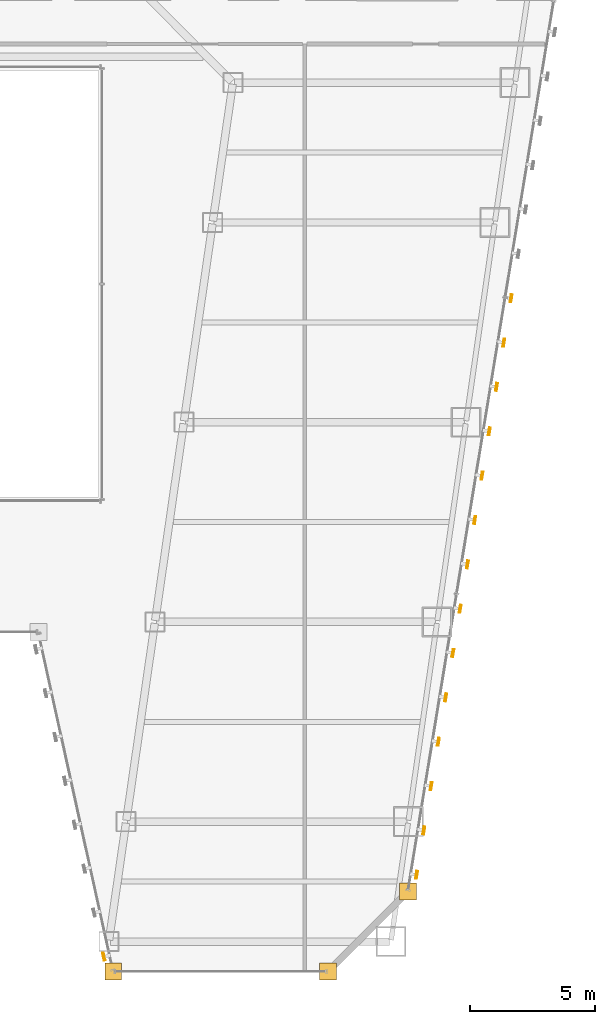
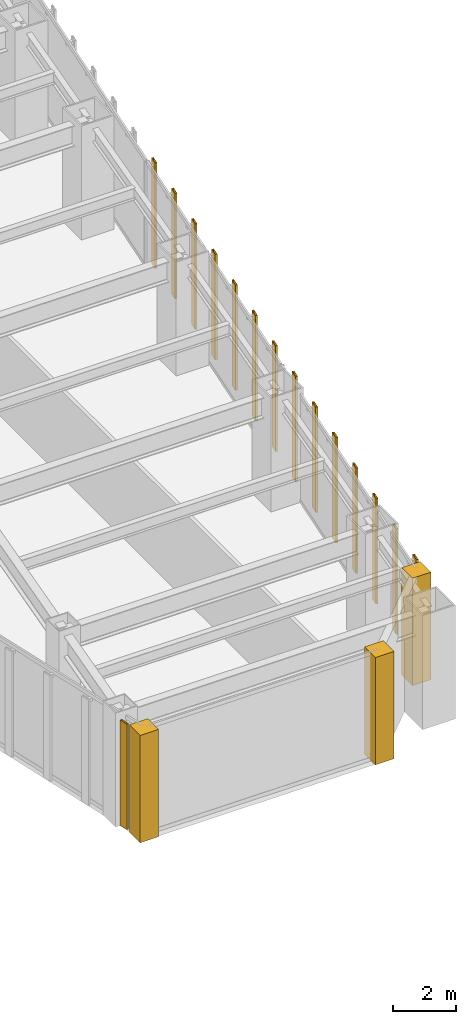
# One storey, part 44 of 47: 15 shading devices, 3 coverings.
"""IFC4 building model written with IfcOpenShell, lengths in metres."""

from ifc_helpers import new_model, si_unit, direction, frame, origin, origin_2d, place, context, subcontext, project, spatial, polyline, hollow_rectangle, outline, extrude, material, layer, layer_set, material_profile, profile_set, type_object, element, save


model = new_model("IFC4")

# Units and contexts
model_context = context("Model", 3, precision=1e-05, world=origin(), true_north=direction((0.0, 1.0)))
body_context = subcontext(model_context, "Body", "Model", "MODEL_VIEW")
ifc_project = project(units=[si_unit("LENGTHUNIT", "METRE"), si_unit("AREAUNIT", "SQUARE_METRE"), si_unit("VOLUMEUNIT", "CUBIC_METRE"), si_unit("PLANEANGLEUNIT", "RADIAN"), si_unit("MASSUNIT", "GRAM", prefix="KILO")], contexts=[model_context])

# Site, building, storey
site_placement = place(None, origin())
site = spatial("IfcSite", under=ifc_project, at=site_placement, CompositionType="ELEMENT")
building_placement = place(site_placement, origin())
building = spatial("IfcBuilding", under=site, at=building_placement, Name="Saevonmaru Cultural Tower", CompositionType="ELEMENT")
storey_placement = place(building_placement, frame((0.0, 0.0, 42.800048828125)))
storey = spatial("IfcBuildingStorey", under=building, at=storey_placement, Name="L08", CompositionType="ELEMENT", Elevation=42.800048828125)

# Coverings
ifc_material = material(Name="Satin Bronze Anodised Aluminium", Category="aluminium")
ifc_layer = layer(ifc_material, 0.679931640625, Name="Satin Bronze Anodised Aluminium")
ifc_layer_set = layer_set([ifc_layer], Name="Satin Bronze Anodised Aluminium")
covering_type = type_object("IfcCoveringType", Name="CV-CORNER-CLAD", PredefinedType="CLADDING", material=ifc_layer_set)
covering_1_placement = place(storey_placement, origin())
element("IfcCovering", 1, at=covering_1_placement, inside=storey, type_object=covering_type, Name="L08 Tower Bronze Corner Cladding Pier 6", PredefinedType="CLADDING", context=body_context, shape_type="SweptSolid", body=[
    extrude(outline(polyline([(36.06005859375, 1.659912109375), (36.739990234375, 1.659912109375), (36.739990234375, 2.340087890625), (36.06005859375, 2.340087890625), (36.06005859375, 1.659912109375)])), origin(), (0.0, 0.0, 1.0), 4.14990234375),
])
covering_2_placement = place(storey_placement, origin())
element("IfcCovering", 2, at=covering_2_placement, inside=storey, type_object=covering_type, Name="L08 Tower Bronze Corner Cladding Pier 7", PredefinedType="CLADDING", context=body_context, shape_type="SweptSolid", body=[
    extrude(outline(polyline([(44.659912109375, 1.659912109375), (45.340087890625, 1.659912109375), (45.340087890625, 2.340087890625), (44.659912109375, 2.340087890625), (44.659912109375, 1.659912109375)])), origin(), (0.0, 0.0, 1.0), 4.14990234375),
])
covering_3_placement = place(storey_placement, origin())
element("IfcCovering", 3, at=covering_3_placement, inside=storey, type_object=covering_type, Name="L08 Tower Bronze Corner Cladding Pier 8", PredefinedType="CLADDING", context=body_context, shape_type="SweptSolid", body=[
    extrude(outline(polyline([(47.860107421875, 4.860107421875), (48.5400390625, 4.860107421875), (48.5400390625, 5.5400390625), (47.860107421875, 5.5400390625), (47.860107421875, 4.860107421875)])), origin(), (0.0, 0.0, 1.0), 4.14990234375),
])

# Shading devices
ifc_material_profile = material_profile(ifc_material, hollow_rectangle(XDim=0.070068359375, YDim=0.320068359375, WallThickness=0.0048828125, at=origin_2d()), Name="FIN-320x70")
ifc_profile_set = profile_set([ifc_material_profile], Name="Satin Bronze Anodised Aluminium")
shading_device_type = type_object("IfcShadingDeviceType", Name="SHD-FIN-320", PredefinedType="JALOUSIE", material=ifc_profile_set)
for number, where, z_axis, x_axis, name in (
    (4, (36.022705078125, 2.59619140625, 0.050048828125), (0.0, 0.0, 1.0), (-0.976522126798, -0.215417120661, 0.0), "L08 Art Deco Sawtooth Bronze Fin E5-08"),
    (5, (48.552978515625, 5.869140625, 0.050048828125), (0.0, 0.0, 1.0), (0.986827496189, -0.161776057456, 0.0), "L08 Art Deco Sawtooth Bronze Fin E8-01"),
    (6, (48.843994140625, 7.6455078125, 0.050048828125), (0.0, 0.0, 1.0), (0.986827496189, -0.161776057456, 0.0), "L08 Art Deco Sawtooth Bronze Fin E8-02"),
    (7, (49.135009765625, 9.421875, 0.050048828125), (0.0, 0.0, 1.0), (0.986827496189, -0.161776057456, 0.0), "L08 Art Deco Sawtooth Bronze Fin E8-03"),
    (8, (49.426025390625, 11.197998046875, 0.050048828125), (0.0, 0.0, 1.0), (0.986827496189, -0.161776057456, 0.0), "L08 Art Deco Sawtooth Bronze Fin E8-04"),
    (9, (49.71728515625, 12.974365234375, 0.050048828125), (0.0, 0.0, 1.0), (0.986827496189, -0.161776057456, 0.0), "L08 Art Deco Sawtooth Bronze Fin E8-05"),
    (10, (50.00830078125, 14.750732421875, 0.050048828125), (0.0, 0.0, 1.0), (0.986827496189, -0.161776057456, 0.0), "L08 Art Deco Sawtooth Bronze Fin E8-06"),
    (11, (50.29931640625, 16.527099609375, 0.050048828125), (0.0, 0.0, 1.0), (0.986827496189, -0.161776057456, 0.0), "L08 Art Deco Sawtooth Bronze Fin E8-07"),
    (12, (50.59033203125, 18.30322265625, 0.050048828125), (0.0, 0.0, 1.0), (0.986827496189, -0.161776057456, 0.0), "L08 Art Deco Sawtooth Bronze Fin E8-08"),
    (13, (50.881591796875, 20.07958984375, 0.050048828125), (0.0, 0.0, 1.0), (0.986827496189, -0.161776057456, 0.0), "L08 Art Deco Sawtooth Bronze Fin E8-09"),
    (14, (51.172607421875, 21.85595703125, 0.050048828125), (0.0, 0.0, 1.0), (0.986827496189, -0.161776057456, 0.0), "L08 Art Deco Sawtooth Bronze Fin E8-10"),
    (15, (51.463623046875, 23.63232421875, 0.050048828125), (0.0, 0.0, 1.0), (0.986827496189, -0.161776057456, 0.0), "L08 Art Deco Sawtooth Bronze Fin E8-11"),
    (16, (51.754638671875, 25.40869140625, 0.050048828125), (0.0, 0.0, 1.0), (0.986827496189, -0.161776057456, 0.0), "L08 Art Deco Sawtooth Bronze Fin E8-12"),
    (17, (52.0458984375, 27.184814453125, 0.050048828125), (0.0, 0.0, 1.0), (0.986827496189, -0.161776057456, 0.0), "L08 Art Deco Sawtooth Bronze Fin E8-13"),
    (18, (52.3369140625, 28.961181640625, 0.050048828125), (0.0, 0.0, 1.0), (0.986827496189, -0.161776057456, 0.0), "L08 Art Deco Sawtooth Bronze Fin E8-14"),
):
    element("IfcShadingDevice", number, at=place(storey_placement, frame(where, z_axis=z_axis, x_axis=x_axis)), inside=storey, type_object=shading_device_type, Name=name, PredefinedType="JALOUSIE", context=body_context, shape_type="SweptSolid", body=[
        extrude(hollow_rectangle(XDim=0.070068359375, YDim=0.320068359375, WallThickness=0.0048828125, at=origin_2d()), origin(), (0.0, 0.0, 1.0), 4.079833984375),
    ])

save(model, "model.ifc")
